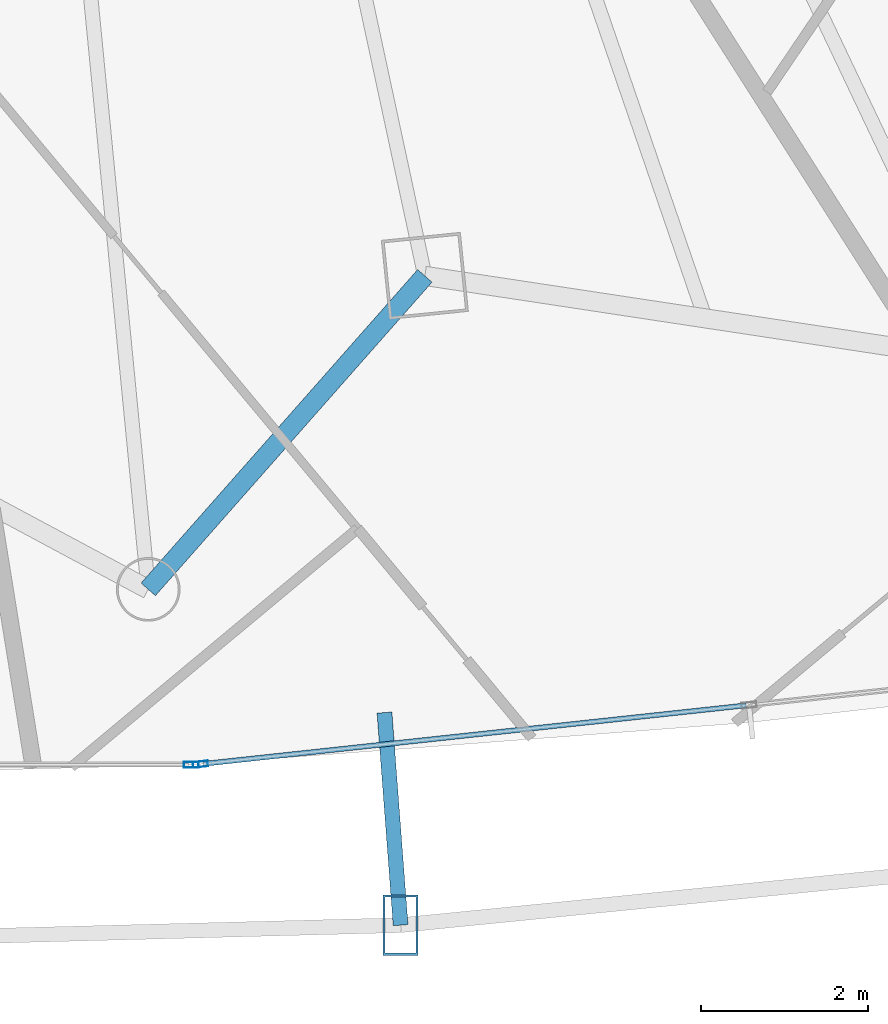
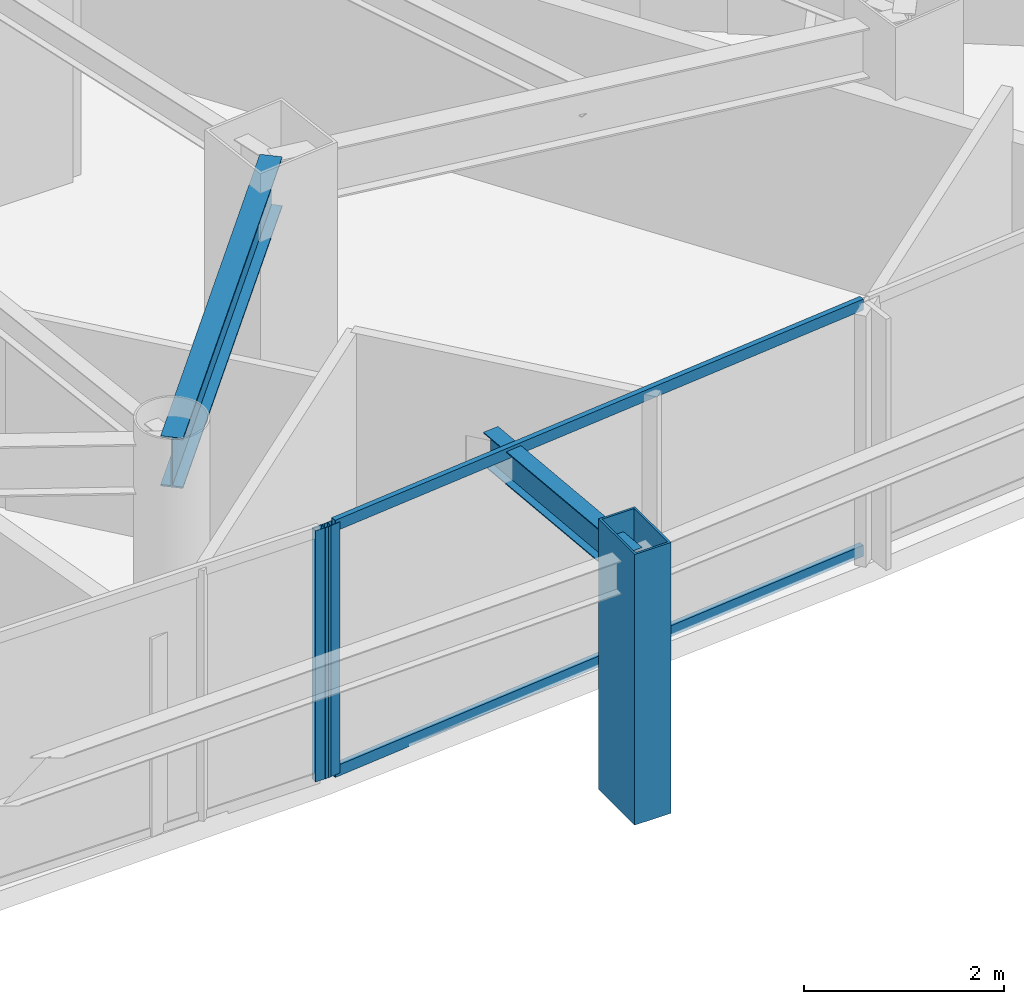
# One storey, part 13 of 38: 5 members, 2 beams, 2 elements without a shape of their own.
"""IFC4 building model written with IfcOpenShell, lengths in metres."""

from ifc_helpers import new_model, si_unit, direction, frame, origin, origin_2d, place, context, subcontext, project, spatial, hollow_rectangle, i_section, extrude, material, layer, layer_set, material_profile, profile_set, type_object, element, aggregate, save


model = new_model("IFC4")

# Units and contexts
model_context = context("Model", 3, precision=1e-05, world=origin(), true_north=direction((0.0, 1.0)))
body_context = subcontext(model_context, "Body", "Model", "MODEL_VIEW")
ifc_project = project(units=[si_unit("LENGTHUNIT", "METRE"), si_unit("AREAUNIT", "SQUARE_METRE"), si_unit("VOLUMEUNIT", "CUBIC_METRE"), si_unit("PLANEANGLEUNIT", "RADIAN"), si_unit("MASSUNIT", "GRAM", prefix="KILO")], contexts=[model_context])

# Site, building, storey
site_placement = place(None, origin())
site = spatial("IfcSite", under=ifc_project, at=site_placement, CompositionType="ELEMENT")
building_placement = place(site_placement, origin())
building = spatial("IfcBuilding", under=site, at=building_placement, Name="Orvanel Arch Residences", CompositionType="ELEMENT")
storey_placement = place(building_placement, frame((0.0, 0.0, 46.699951171875)))
storey = spatial("IfcBuildingStorey", under=building, at=storey_placement, Name="L12", CompositionType="ELEMENT", Elevation=46.699951171875)

# Member
ifc_material_1 = material(Name="Structural steel AS/NZS 3678 Grade 350", Category="steel")
ifc_material_profile_1 = material_profile(ifc_material_1, hollow_rectangle(XDim=0.419921875, YDim=0.719970703125, WallThickness=0.02490234375, at=origin_2d()), Name="RHS720x420x25")
ifc_profile_set_1 = profile_set([ifc_material_profile_1], Name="Structural steel AS/NZS 3678 Grade 350")
member_type_1 = type_object("IfcMemberType", Name="CH-720RHS-EXT", PredefinedType="CHORD", material=ifc_profile_set_1)
member_1_placement = place(storey_placement, frame((42.06103515625, -0.412109375, 0.0), z_axis=(0.0, 0.0, 1.0), x_axis=(1.0, 0.0, 0.0)))
element("IfcMember", 1, at=member_1_placement, inside=storey, type_object=member_type_1, Name="L12 Outer Perimeter Frame Post 07", PredefinedType="CHORD", context=body_context, shape_type="SweptSolid", body=[
    extrude(hollow_rectangle(XDim=0.419921875, YDim=0.719970703125, WallThickness=0.02490234375, at=origin_2d()), origin(), (0.0, 0.0, 1.0), 3.300048828125),
])

# Curtain wall, member
ifc_material_2 = material(Name="Bronze-anodised aluminium AA6063-T6", Category="aluminium")
ifc_layer = layer(ifc_material_2, 0.179931640625)
ifc_layer_set = layer_set([ifc_layer], Name="Bronze-anodised aluminium AA6063-T6")
curtain_wall_type = type_object("IfcCurtainWallType", Name="CW2-LOW-SYS", PredefinedType="NOTDEFINED", material=ifc_layer_set)
curtain_wall_1_placement = place(storey_placement, origin())
curtain_wall_1 = element("IfcCurtainWall", 2, at=curtain_wall_1_placement, inside=storey, type_object=curtain_wall_type, Name="L12 CW2-LOW-SYS Unitised Curtain Wall", PredefinedType="NOTDEFINED")
ifc_material_profile_2 = material_profile(ifc_material_2, hollow_rectangle(XDim=0.070068359375, YDim=0.179931640625, WallThickness=0.00439453125, at=origin_2d()), Name="ALU180x70x4.5")
ifc_profile_set_2 = profile_set([ifc_material_profile_2], Name="Bronze-anodised aluminium AA6063-T6")
member_type_2 = type_object("IfcMemberType", Name="MUL-180x70", PredefinedType="MULLION", material=ifc_profile_set_2)
member_2_placement = place(storey_placement, frame((39.555908203125, 1.508056640625, 0.0), z_axis=(0.0, 0.0, 1.0), x_axis=(0.0, 1.0, 0.0)))
member_2 = element("IfcMember", 3, at=member_2_placement, type_object=member_type_2, Name="CW-S2 mullion 3", PredefinedType="MULLION", context=body_context, shape_type="SweptSolid", body=[
    extrude(hollow_rectangle(XDim=0.070068359375, YDim=0.179931640625, WallThickness=0.00439453125, at=origin_2d()), origin(), (0.0, 0.0, 1.0), 3.06005859375),
])
aggregate(curtain_wall_1, [member_2])

curtain_wall_2_placement = place(storey_placement, origin())
curtain_wall_2 = element("IfcCurtainWall", 4, at=curtain_wall_2_placement, inside=storey, type_object=curtain_wall_type, Name="L12 CW2-LOW-SYS Unitised Curtain Wall", PredefinedType="NOTDEFINED")
member_3_placement = place(storey_placement, frame((39.665771484375, 1.513671875, 0.0), z_axis=(0.0, 0.0, 1.0), x_axis=(-0.107139659052, 0.994243980851, 0.0)))
member_3 = element("IfcMember", 5, at=member_3_placement, type_object=member_type_2, Name="CW-S2 mullion 1", PredefinedType="MULLION", context=body_context, shape_type="SweptSolid", body=[
    extrude(hollow_rectangle(XDim=0.070068359375, YDim=0.179931640625, WallThickness=0.00439453125, at=origin_2d()), origin(), (0.0, 0.0, 1.0), 3.06005859375),
])

# Beams
ifc_material_3 = material(Name="Structural steel AS/NZS 3679.1 Grade 300 (300 MPa)", Category="steel")
ifc_material_profile_3 = material_profile(ifc_material_3, i_section(OverallWidth=0.177978515625, OverallDepth=0.406005859375, WebThickness=0.0078125, FlangeThickness=0.0126953125, at=origin_2d()), Name="410UB59.7")
ifc_profile_set_3 = profile_set([ifc_material_profile_3], Name="Structural steel AS/NZS 3679.1 Grade 300 (300 MPa)")
beam_type_1 = type_object("IfcBeamType", Name="OB-410UB-EXT", PredefinedType="SPANDREL", material=ifc_profile_set_3)
beam_1_placement = place(storey_placement, frame((41.867919921875, 2.131103515625, 2.85693359375), z_axis=(0.075715599319, -0.997129453993, 0.0), x_axis=(0.997129453993, 0.075715599319, 0.0)))
element("IfcBeam", 6, at=beam_1_placement, inside=storey, type_object=beam_type_1, Name="L12 Outer Frame Radial Tie Beam 07", PredefinedType="SPANDREL", context=body_context, shape_type="SweptSolid", body=[
    extrude(i_section(OverallWidth=0.177978515625, OverallDepth=0.406005859375, WebThickness=0.0078125, FlangeThickness=0.0126953125, at=origin_2d()), origin(), (0.0, 0.0, 1.0), 2.550537109375),
])
ifc_material_profile_4 = material_profile(ifc_material_3, i_section(OverallWidth=0.22900390625, OverallDepth=0.612060546875, WebThickness=0.011962890625, FlangeThickness=0.01953125, at=origin_2d()), Name="610UB125")
ifc_profile_set_4 = profile_set([ifc_material_profile_4], Name="Structural steel AS/NZS 3679.1 Grade 300 (300 MPa)")
beam_type_2 = type_object("IfcBeamType", Name="SP-610UB", PredefinedType="SPANDREL", material=ifc_profile_set_4)
beam_2_placement = place(storey_placement, frame((39.0419921875, 3.60498046875, 2.754150390625), z_axis=(0.661650698195, 0.749812212209, 0.0), x_axis=(-0.749812212209, 0.661650698195, 0.0)))
element("IfcBeam", 7, at=beam_2_placement, inside=storey, type_object=beam_type_2, Name="L12 Perimeter Spandrel Beam 08", PredefinedType="SPANDREL", context=body_context, shape_type="SweptSolid", body=[
    extrude(i_section(OverallWidth=0.22900390625, OverallDepth=0.612060546875, WebThickness=0.011962890625, FlangeThickness=0.01953125, at=origin_2d()), origin(), (0.0, 0.0, 1.0), 5.001220703125),
])

# Member
ifc_material_profile_5 = material_profile(ifc_material_2, hollow_rectangle(XDim=0.06005859375, YDim=0.135009765625, WallThickness=0.00390625, at=origin_2d()), Name="ALU135x60x4")
ifc_profile_set_5 = profile_set([ifc_material_profile_5], Name="Bronze-anodised aluminium AA6063-T6")
member_type_3 = type_object("IfcMemberType", Name="TRN-135x60", PredefinedType="USERDEFINED", material=ifc_profile_set_5)
member_4_placement = place(storey_placement, frame((39.70068359375, 1.517578125, 0.030029296875), z_axis=(0.994244342354, 0.107136304289, 0.0), x_axis=(-0.107136304289, 0.994244342354, 0.0)))
member_4 = element("IfcMember", 8, at=member_4_placement, type_object=member_type_3, Name="CW-S2 transom 1.1", ObjectType="TRANSOM", PredefinedType="USERDEFINED", context=body_context, shape_type="SweptSolid", body=[
    extrude(hollow_rectangle(XDim=0.06005859375, YDim=0.135009765625, WallThickness=0.00390625, at=origin_2d()), origin(), (0.0, 0.0, 1.0), 6.531005859375),
])

member_5_placement = place(storey_placement, frame((39.70068359375, 1.517578125, 3.030029296875), z_axis=(0.994244342354, 0.107136304289, 0.0), x_axis=(-0.107136304289, 0.994244342354, 0.0)))
member_5 = element("IfcMember", 9, at=member_5_placement, type_object=member_type_3, Name="CW-S2 transom 1.2", ObjectType="TRANSOM", PredefinedType="USERDEFINED", context=body_context, shape_type="SweptSolid", body=[
    extrude(hollow_rectangle(XDim=0.06005859375, YDim=0.135009765625, WallThickness=0.00390625, at=origin_2d()), origin(), (0.0, 0.0, 1.0), 6.531005859375),
])

aggregate(curtain_wall_2, [member_3, member_4, member_5])

save(model, "model.ifc")
